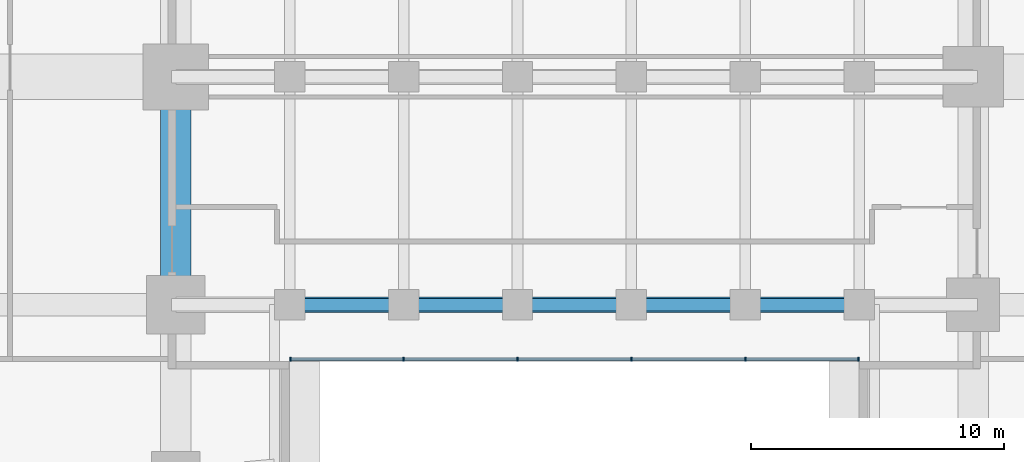
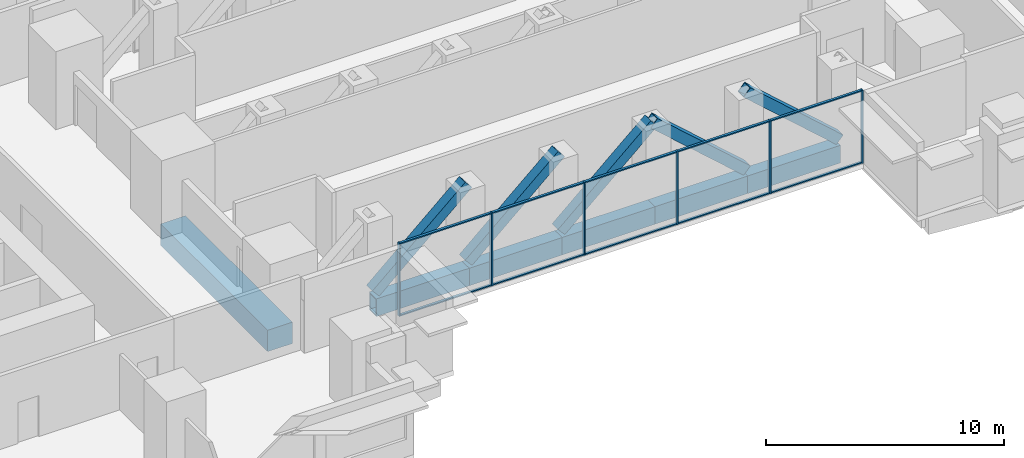
# One storey, part 2 of 16: 21 members, 6 beams, 1 element without a shape of its own.
"""IFC4 building model written with IfcOpenShell, lengths in metres."""

from ifc_helpers import new_model, si_unit, direction, frame, origin, origin_2d, place, context, subcontext, project, spatial, rectangle, hollow_rectangle, extrude, material, layer, layer_set, material_profile, profile_set, type_object, element, aggregate, save


model = new_model("IFC4")

# Units and contexts
model_context = context("Model", 3, precision=1e-05, world=origin(), true_north=direction((0.0, 1.0)))
body_context = subcontext(model_context, "Body", "Model", "MODEL_VIEW")
ifc_project = project(units=[si_unit("LENGTHUNIT", "METRE"), si_unit("AREAUNIT", "SQUARE_METRE"), si_unit("VOLUMEUNIT", "CUBIC_METRE"), si_unit("PLANEANGLEUNIT", "RADIAN"), si_unit("MASSUNIT", "GRAM", prefix="KILO")], contexts=[model_context])

# Site, building, storey
site_placement = place(None, origin())
site = spatial("IfcSite", under=ifc_project, at=site_placement, CompositionType="ELEMENT")
building_placement = place(site_placement, origin())
building = spatial("IfcBuilding", under=site, at=building_placement, Name="Namib Vertical Campus", CompositionType="ELEMENT")
storey_placement = place(building_placement, frame((0.0, 0.0, 125.0)))
storey = spatial("IfcBuildingStorey", under=building, at=storey_placement, Name="L29", CompositionType="ELEMENT", Elevation=125.0)

# Members
ifc_material_1 = material(Name="Steel S355JR", Category="steel")
ifc_material_profile_1 = material_profile(ifc_material_1, hollow_rectangle(XDim=0.5, YDim=0.5, WallThickness=0.031982421875, at=origin_2d()))
ifc_profile_set_1 = profile_set([ifc_material_profile_1], Name="Steel S355JR")
member_type_1 = type_object("IfcMemberType", Name="Bridge end brace WB 500x500x32", PredefinedType="BRACE", material=ifc_profile_set_1)
for number, where, z_axis, x_axis, name in (
    (1, (40.5, 11.25, 0.0), (0.747409318684, 0.0, 0.66436383883), (0.0, 1.0, 0.0), "Bridge brace BX1 L29 T1 bay 2"),
    (2, (45.0, 11.25, 0.0), (0.747409318684, 0.0, 0.66436383883), (0.0, 1.0, 0.0), "Bridge brace BX1 L29 T1 bay 3"),
    (3, (49.5, 11.25, 0.0), (0.747409318684, 0.0, 0.66436383883), (0.0, 1.0, 0.0), "Bridge brace BX1 L29 T1 bay 4"),
    (4, (58.5, 11.25, 0.0), (-0.747409318684, 0.0, 0.66436383883), (0.0, -1.0, 0.0), "Bridge brace BX1 L29 T1 bay 5"),
    (5, (63.0, 11.25, 0.0), (-0.747409318684, 0.0, 0.66436383883), (0.0, -1.0, 0.0), "Bridge brace BX1 L29 T1 bay 6"),
):
    element("IfcMember", number, at=place(storey_placement, frame(where, z_axis=z_axis, x_axis=x_axis)), inside=storey, type_object=member_type_1, Name=name, PredefinedType="BRACE", context=body_context, shape_type="SweptSolid", body=[
        extrude(hollow_rectangle(XDim=0.5, YDim=0.5, WallThickness=0.031982421875, at=origin_2d()), origin(), (0.0, 0.0, 1.0), 6.020751953125),
    ])

# Beams
ifc_material_2 = material(Name="Steel S355JR", Category="steel")
ifc_material_profile_2 = material_profile(ifc_material_2, hollow_rectangle(XDim=0.60009765625, YDim=0.89990234375, WallThickness=0.050048828125, at=origin_2d()))
ifc_profile_set_2 = profile_set([ifc_material_profile_2], Name="Steel S355JR")
beam_type_1 = type_object("IfcBeamType", Name="Bridge girder WB 900x600x50", PredefinedType="BEAM", material=ifc_profile_set_2)
for number, where, z_axis, x_axis, name in (
    (6, (40.5, 11.25, -0.699951171875), (1.0, 0.0, 0.0), (0.0, 1.0, 0.0), "Bridge girder BG1 L29"),
    (7, (45.0, 11.25, -0.699951171875), (1.0, 0.0, 0.0), (0.0, 1.0, 0.0), "Bridge girder BG1 L29"),
    (8, (49.5, 11.25, -0.699951171875), (1.0, 0.0, 0.0), (0.0, 1.0, 0.0), "Bridge girder BG1 L29"),
    (9, (54.0, 11.25, -0.699951171875), (1.0, 0.0, 0.0), (0.0, 1.0, 0.0), "Bridge girder BG1 L29"),
    (10, (58.5, 11.25, -0.699951171875), (1.0, 0.0, 0.0), (0.0, 1.0, 0.0), "Bridge girder BG1 L29"),
):
    element("IfcBeam", number, at=place(storey_placement, frame(where, z_axis=z_axis, x_axis=x_axis)), inside=storey, type_object=beam_type_1, Name=name, PredefinedType="BEAM", context=body_context, shape_type="SweptSolid", body=[
        extrude(hollow_rectangle(XDim=0.60009765625, YDim=0.89990234375, WallThickness=0.050048828125, at=origin_2d()), origin(), (0.0, 0.0, 1.0), 4.5),
    ])

# Curtain wall, members
ifc_material_3 = material(Name="Black aluminium curtain wall", Category="aluminium")
ifc_layer = layer(ifc_material_3, 0.199951171875)
ifc_layer_set = layer_set([ifc_layer], Name="Bridge curtain wall CW-BR")
curtain_wall_type = type_object("IfcCurtainWallType", Name="Bridge curtain wall CW-BR", PredefinedType="USERDEFINED", material=ifc_layer_set)
curtain_wall_placement = place(storey_placement, origin())
curtain_wall = element("IfcCurtainWall", 11, at=curtain_wall_placement, inside=storey, type_object=curtain_wall_type, Name="Curtain wall CW-BR L29 S", ObjectType="CURTAIN WALL", PredefinedType="USERDEFINED")
ifc_material_4 = material(Name="Black anodised aluminium", Category="aluminium")
ifc_material_profile_3 = material_profile(ifc_material_4, rectangle(XDim=0.06005859375, YDim=0.159912109375, at=origin_2d()))
ifc_profile_set_3 = profile_set([ifc_material_profile_3], Name="Black anodised aluminium")
member_type_2 = type_object("IfcMemberType", Name="Curtain wall mullion 60x160", PredefinedType="MULLION", material=ifc_profile_set_3)
member_1_placement = place(storey_placement, frame((40.530029296875, 9.10009765625, 0.0), z_axis=(0.0, 0.0, 1.0), x_axis=(1.0, 0.0, 0.0)))
member_1 = element("IfcMember", 12, at=member_1_placement, type_object=member_type_2, Name="CW-BR mullion 1", PredefinedType="MULLION", context=body_context, shape_type="SweptSolid", body=[
    extrude(rectangle(XDim=0.06005859375, YDim=0.159912109375, at=origin_2d()), origin(), (0.0, 0.0, 1.0), 3.75),
])
member_2_placement = place(storey_placement, frame((45.0, 9.10009765625, 0.0), z_axis=(0.0, 0.0, 1.0), x_axis=(1.0, 0.0, 0.0)))
member_2 = element("IfcMember", 13, at=member_2_placement, type_object=member_type_2, Name="CW-BR mullion 2", PredefinedType="MULLION", context=body_context, shape_type="SweptSolid", body=[
    extrude(rectangle(XDim=0.06005859375, YDim=0.159912109375, at=origin_2d()), origin(), (0.0, 0.0, 1.0), 3.75),
])
member_3_placement = place(storey_placement, frame((49.5, 9.10009765625, 0.0), z_axis=(0.0, 0.0, 1.0), x_axis=(1.0, 0.0, 0.0)))
member_3 = element("IfcMember", 14, at=member_3_placement, type_object=member_type_2, Name="CW-BR mullion 3", PredefinedType="MULLION", context=body_context, shape_type="SweptSolid", body=[
    extrude(rectangle(XDim=0.06005859375, YDim=0.159912109375, at=origin_2d()), origin(), (0.0, 0.0, 1.0), 3.75),
])
member_4_placement = place(storey_placement, frame((54.0, 9.10009765625, 0.0), z_axis=(0.0, 0.0, 1.0), x_axis=(1.0, 0.0, 0.0)))
member_4 = element("IfcMember", 15, at=member_4_placement, type_object=member_type_2, Name="CW-BR mullion 4", PredefinedType="MULLION", context=body_context, shape_type="SweptSolid", body=[
    extrude(rectangle(XDim=0.06005859375, YDim=0.159912109375, at=origin_2d()), origin(), (0.0, 0.0, 1.0), 3.75),
])
member_5_placement = place(storey_placement, frame((58.5, 9.10009765625, 0.0), z_axis=(0.0, 0.0, 1.0), x_axis=(1.0, 0.0, 0.0)))
member_5 = element("IfcMember", 16, at=member_5_placement, type_object=member_type_2, Name="CW-BR mullion 5", PredefinedType="MULLION", context=body_context, shape_type="SweptSolid", body=[
    extrude(rectangle(XDim=0.06005859375, YDim=0.159912109375, at=origin_2d()), origin(), (0.0, 0.0, 1.0), 3.75),
])
member_6_placement = place(storey_placement, frame((62.969970703125, 9.10009765625, 0.0), z_axis=(0.0, 0.0, 1.0), x_axis=(1.0, 0.0, 0.0)))
member_6 = element("IfcMember", 17, at=member_6_placement, type_object=member_type_2, Name="CW-BR mullion 6", PredefinedType="MULLION", context=body_context, shape_type="SweptSolid", body=[
    extrude(rectangle(XDim=0.06005859375, YDim=0.159912109375, at=origin_2d()), origin(), (0.0, 0.0, 1.0), 3.75),
])
ifc_material_5 = material(Name="Black anodised aluminium", Category="aluminium")
ifc_material_profile_4 = material_profile(ifc_material_5, rectangle(XDim=0.06005859375, YDim=0.1201171875, at=origin_2d()))
ifc_profile_set_4 = profile_set([ifc_material_profile_4], Name="Black anodised aluminium")
member_type_3 = type_object("IfcMemberType", Name="Curtain wall transom 60x120", PredefinedType="USERDEFINED", material=ifc_profile_set_4)
member_7_placement = place(storey_placement, frame((40.56005859375, 9.10009765625, 0.030029296875), z_axis=(1.0, 0.0, 0.0), x_axis=(0.0, 0.0, 1.0)))
member_7 = element("IfcMember", 18, at=member_7_placement, type_object=member_type_3, Name="CW-BR transom 1.1", ObjectType="TRANSOM", PredefinedType="USERDEFINED", context=body_context, shape_type="SweptSolid", body=[
    extrude(rectangle(XDim=0.06005859375, YDim=0.1201171875, at=origin_2d()), origin(), (0.0, 0.0, 1.0), 4.409912109375),
])
member_8_placement = place(storey_placement, frame((40.56005859375, 9.10009765625, 3.719970703125), z_axis=(1.0, 0.0, 0.0), x_axis=(0.0, 0.0, 1.0)))
member_8 = element("IfcMember", 19, at=member_8_placement, type_object=member_type_3, Name="CW-BR transom 1.2", ObjectType="TRANSOM", PredefinedType="USERDEFINED", context=body_context, shape_type="SweptSolid", body=[
    extrude(rectangle(XDim=0.06005859375, YDim=0.1201171875, at=origin_2d()), origin(), (0.0, 0.0, 1.0), 4.409912109375),
])
member_9_placement = place(storey_placement, frame((45.030029296875, 9.10009765625, 0.030029296875), z_axis=(1.0, 0.0, 0.0), x_axis=(0.0, 0.0, 1.0)))
member_9 = element("IfcMember", 20, at=member_9_placement, type_object=member_type_3, Name="CW-BR transom 2.1", ObjectType="TRANSOM", PredefinedType="USERDEFINED", context=body_context, shape_type="SweptSolid", body=[
    extrude(rectangle(XDim=0.06005859375, YDim=0.1201171875, at=origin_2d()), origin(), (0.0, 0.0, 1.0), 4.43994140625),
])
member_10_placement = place(storey_placement, frame((45.030029296875, 9.10009765625, 3.719970703125), z_axis=(1.0, 0.0, 0.0), x_axis=(0.0, 0.0, 1.0)))
member_10 = element("IfcMember", 21, at=member_10_placement, type_object=member_type_3, Name="CW-BR transom 2.2", ObjectType="TRANSOM", PredefinedType="USERDEFINED", context=body_context, shape_type="SweptSolid", body=[
    extrude(rectangle(XDim=0.06005859375, YDim=0.1201171875, at=origin_2d()), origin(), (0.0, 0.0, 1.0), 4.43994140625),
])
member_11_placement = place(storey_placement, frame((49.530029296875, 9.10009765625, 0.030029296875), z_axis=(1.0, 0.0, 0.0), x_axis=(0.0, 0.0, 1.0)))
member_11 = element("IfcMember", 22, at=member_11_placement, type_object=member_type_3, Name="CW-BR transom 3.1", ObjectType="TRANSOM", PredefinedType="USERDEFINED", context=body_context, shape_type="SweptSolid", body=[
    extrude(rectangle(XDim=0.06005859375, YDim=0.1201171875, at=origin_2d()), origin(), (0.0, 0.0, 1.0), 4.43994140625),
])
member_12_placement = place(storey_placement, frame((49.530029296875, 9.10009765625, 3.719970703125), z_axis=(1.0, 0.0, 0.0), x_axis=(0.0, 0.0, 1.0)))
member_12 = element("IfcMember", 23, at=member_12_placement, type_object=member_type_3, Name="CW-BR transom 3.2", ObjectType="TRANSOM", PredefinedType="USERDEFINED", context=body_context, shape_type="SweptSolid", body=[
    extrude(rectangle(XDim=0.06005859375, YDim=0.1201171875, at=origin_2d()), origin(), (0.0, 0.0, 1.0), 4.43994140625),
])
member_13_placement = place(storey_placement, frame((54.030029296875, 9.10009765625, 0.030029296875), z_axis=(1.0, 0.0, 0.0), x_axis=(0.0, 0.0, 1.0)))
member_13 = element("IfcMember", 24, at=member_13_placement, type_object=member_type_3, Name="CW-BR transom 4.1", ObjectType="TRANSOM", PredefinedType="USERDEFINED", context=body_context, shape_type="SweptSolid", body=[
    extrude(rectangle(XDim=0.06005859375, YDim=0.1201171875, at=origin_2d()), origin(), (0.0, 0.0, 1.0), 4.43994140625),
])
member_14_placement = place(storey_placement, frame((54.030029296875, 9.10009765625, 3.719970703125), z_axis=(1.0, 0.0, 0.0), x_axis=(0.0, 0.0, 1.0)))
member_14 = element("IfcMember", 25, at=member_14_placement, type_object=member_type_3, Name="CW-BR transom 4.2", ObjectType="TRANSOM", PredefinedType="USERDEFINED", context=body_context, shape_type="SweptSolid", body=[
    extrude(rectangle(XDim=0.06005859375, YDim=0.1201171875, at=origin_2d()), origin(), (0.0, 0.0, 1.0), 4.43994140625),
])
member_15_placement = place(storey_placement, frame((58.530029296875, 9.10009765625, 0.030029296875), z_axis=(1.0, 0.0, 0.0), x_axis=(0.0, 0.0, 1.0)))
member_15 = element("IfcMember", 26, at=member_15_placement, type_object=member_type_3, Name="CW-BR transom 5.1", ObjectType="TRANSOM", PredefinedType="USERDEFINED", context=body_context, shape_type="SweptSolid", body=[
    extrude(rectangle(XDim=0.06005859375, YDim=0.1201171875, at=origin_2d()), origin(), (0.0, 0.0, 1.0), 4.409912109375),
])
member_16_placement = place(storey_placement, frame((58.530029296875, 9.10009765625, 3.719970703125), z_axis=(1.0, 0.0, 0.0), x_axis=(0.0, 0.0, 1.0)))
member_16 = element("IfcMember", 27, at=member_16_placement, type_object=member_type_3, Name="CW-BR transom 5.2", ObjectType="TRANSOM", PredefinedType="USERDEFINED", context=body_context, shape_type="SweptSolid", body=[
    extrude(rectangle(XDim=0.06005859375, YDim=0.1201171875, at=origin_2d()), origin(), (0.0, 0.0, 1.0), 4.409912109375),
])
aggregate(curtain_wall, [member_1, member_2, member_3, member_4, member_5, member_6, member_7, member_8, member_9, member_10, member_11, member_12, member_13, member_14, member_15, member_16])

# Beam
ifc_material_6 = material(Name="Concrete C40/50", Category="concrete")
ifc_material_profile_5 = material_profile(ifc_material_6, rectangle(XDim=1.199951171875, YDim=1.10009765625, at=origin_2d()))
ifc_profile_set_5 = profile_set([ifc_material_profile_5], Name="Concrete C40/50")
beam_type_2 = type_object("IfcBeamType", Name="Face ring beam RC 1200x1100", PredefinedType="BEAM", material=ifc_profile_set_5)
beam_placement = place(storey_placement, frame((36.0, 11.25, -0.800048828125), z_axis=(0.0, 1.0, 0.0), x_axis=(-1.0, 0.0, 0.0)))
element("IfcBeam", 28, at=beam_placement, inside=storey, type_object=beam_type_2, Name="Beam B11 L29", PredefinedType="BEAM", context=body_context, shape_type="SweptSolid", body=[
    extrude(rectangle(XDim=1.199951171875, YDim=1.10009765625, at=origin_2d()), origin(), (0.0, 0.0, 1.0), 9.0),
])

save(model, "model.ifc")
